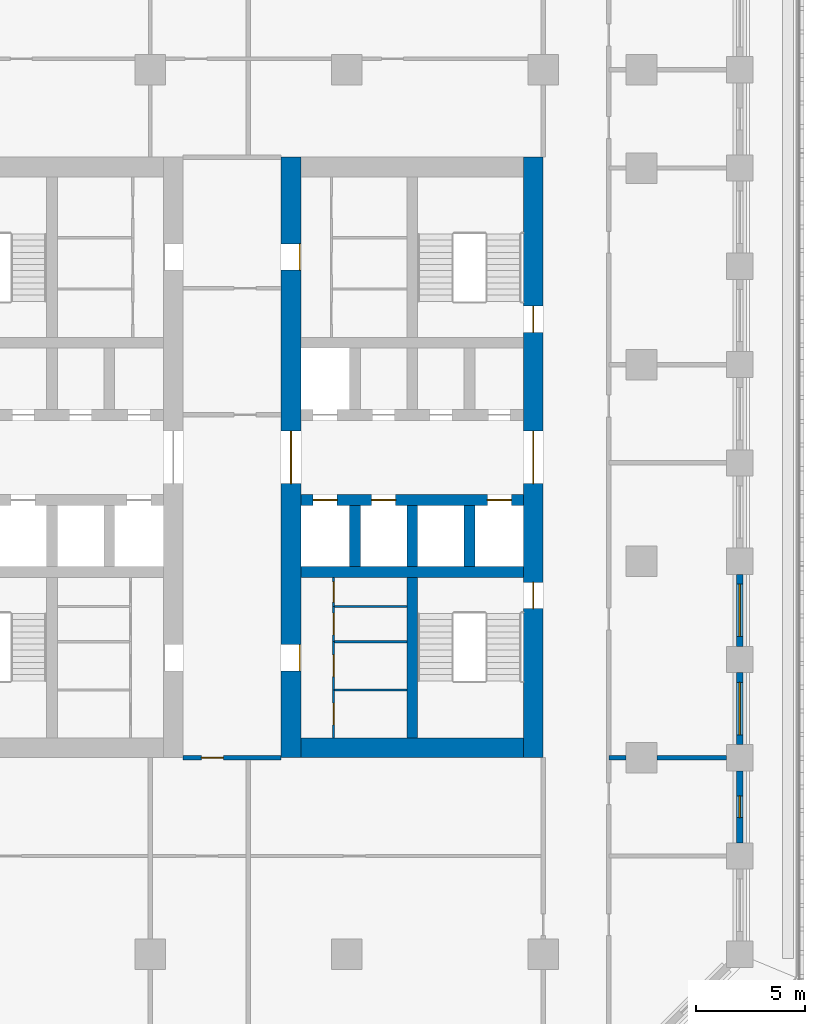
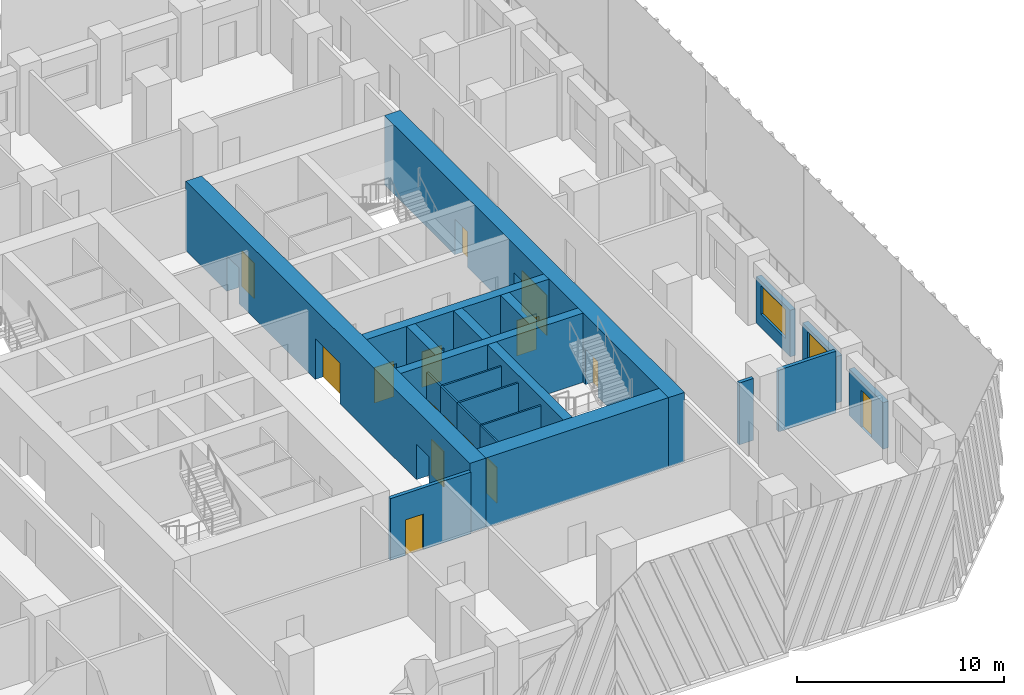
# One storey, part 5 of 19: 22 walls, 15 doors, 2 windows, 17 openings.
"""IFC4 building model written with IfcOpenShell, lengths in metres."""

from ifc_helpers import new_model, si_unit, direction, frame, frame_2d, origin, place, context, subcontext, project, spatial, rectangle, extrude, material, layer, layer_set, type_object, element, fill, save


model = new_model("IFC4")

# Units and contexts
model_context = context("Model", 3, precision=1e-05, world=origin(), true_north=direction((0.0, 1.0)))
body_context = subcontext(model_context, "Body", "Model", "MODEL_VIEW")
ifc_project = project(units=[si_unit("LENGTHUNIT", "METRE"), si_unit("AREAUNIT", "SQUARE_METRE"), si_unit("VOLUMEUNIT", "CUBIC_METRE"), si_unit("PLANEANGLEUNIT", "RADIAN"), si_unit("MASSUNIT", "GRAM", prefix="KILO")], contexts=[model_context])

# Site, building, storey
site_placement = place(None, origin())
site = spatial("IfcSite", under=ifc_project, at=site_placement, CompositionType="ELEMENT")
building_placement = place(site_placement, origin())
building = spatial("IfcBuilding", under=site, at=building_placement, Name="Corbel Stack Research Tower", CompositionType="ELEMENT")
storey_placement = place(building_placement, frame((0.0, 0.0, 124.89990234375)))
storey = spatial("IfcBuildingStorey", under=building, at=storey_placement, Name="L28", CompositionType="ELEMENT", Elevation=124.89990234375)

# Wall
ifc_material_1 = material(Name="Concrete C70/85", Category="concrete")
ifc_layer_1 = layer(ifc_material_1, 0.5)
ifc_layer_set_1 = layer_set([ifc_layer_1], Name="Concrete C70/85")
wall_type_1 = type_object("IfcWallType", Name="CW-500-70", PredefinedType="SHEAR", material=ifc_layer_set_1)
wall_1_placement = place(storey_placement, frame((6.89990234375, -0.5, 0.0), z_axis=(0.0, 0.0, 1.0), x_axis=(1.0, 0.0, 0.0)))
element("IfcWall", 1, at=wall_1_placement, inside=storey, type_object=wall_type_1, Name="East core wall, south row back L28", PredefinedType="SHEAR", context=body_context, shape_type="SweptSolid", body=[
    extrude(rectangle(XDim=10.2001953125, YDim=0.5, at=frame_2d((5.10009765625, 0.0))), origin(), (0.0, 0.0, 1.0), 4.10009765625),
])

# Wall, openings, doors
wall_2_placement = place(storey_placement, frame((6.89990234375, 2.800048828125, 0.0), z_axis=(0.0, 0.0, 1.0), x_axis=(1.0, 0.0, 0.0)))
wall_2 = element("IfcWall", 2, at=wall_2_placement, inside=storey, type_object=wall_type_1, Name="East core wall, lobby south L28", PredefinedType="SHEAR", context=body_context, shape_type="SweptSolid", body=[
    extrude(rectangle(XDim=10.2001953125, YDim=0.5, at=frame_2d((5.10009765625, 0.0))), origin(), (0.0, 0.0, 1.0), 4.10009765625),
])
opening_1_placement = place(wall_2_placement, frame((0.5625, 0.0, 0.0)))
opening_1 = element("IfcOpeningElement", 3, at=opening_1_placement, cuts=wall_2, Name="Opening LD-FS2", PredefinedType="OPENING", context=body_context, shape_type="SweptSolid", body=[
    extrude(rectangle(XDim=1.10009765625, YDim=2.10009765625, at=frame_2d((0.550048828125, 1.050048828125))), frame((0.0, 0.260009765625, 0.0), z_axis=(0.0, -1.0, 0.0), x_axis=(1.0, 0.0, 0.0)), (0.0, 0.0, 1.0), 0.52001953125),
])
opening_2_placement = place(wall_2_placement, frame((3.237548828125, 0.0, 0.0)))
opening_2 = element("IfcOpeningElement", 4, at=opening_2_placement, cuts=wall_2, Name="Opening LD-GL2", PredefinedType="OPENING", context=body_context, shape_type="SweptSolid", body=[
    extrude(rectangle(XDim=1.10009765625, YDim=2.10009765625, at=frame_2d((0.550048828125, 1.050048828125))), frame((0.0, 0.260009765625, 0.0), z_axis=(0.0, -1.0, 0.0), x_axis=(1.0, 0.0, 0.0)), (0.0, 0.0, 1.0), 0.52001953125),
])
opening_3_placement = place(wall_2_placement, frame((8.53759765625, 0.0, 0.0)))
opening_3 = element("IfcOpeningElement", 5, at=opening_3_placement, cuts=wall_2, Name="Opening LD-LR3", PredefinedType="OPENING", context=body_context, shape_type="SweptSolid", body=[
    extrude(rectangle(XDim=1.10009765625, YDim=2.10009765625, at=frame_2d((0.550048828125, 1.050048828125))), frame((0.0, 0.260009765625, 0.0), z_axis=(0.0, -1.0, 0.0), x_axis=(1.0, 0.0, 0.0)), (0.0, 0.0, 1.0), 0.52001953125),
])
ifc_material_2 = material(Name="Stainless steel landing door", Category="steel")
door_type_1 = type_object("IfcDoorType", Name="Lift landing door 1100 x 2100", OperationType="DOUBLE_DOOR_SLIDING", PredefinedType="DOOR", material=ifc_material_2)
door_1_placement = place(opening_1_placement, origin())
door_1 = element("IfcDoor", 6, at=door_1_placement, inside=storey, type_object=door_type_1, Name="Landing door FS2", OperationType="DOUBLE_DOOR_SLIDING", OverallHeight=2.10009765625, OverallWidth=1.10009765625, PredefinedType="DOOR", context=body_context, shape_type="SweptSolid", body=[
    extrude(rectangle(XDim=1.10009765625, YDim=2.10009765625, at=frame_2d((0.550048828125, 1.050048828125))), frame((0.0, 0.02490234375, 0.0), z_axis=(0.0, -1.0, 0.0), x_axis=(1.0, 0.0, 0.0)), (0.0, 0.0, 1.0), 0.050048828125),
])
fill(opening_1, door_1)
door_2_placement = place(opening_2_placement, origin())
door_2 = element("IfcDoor", 7, at=door_2_placement, inside=storey, type_object=door_type_1, Name="Landing door GL2", OperationType="DOUBLE_DOOR_SLIDING", OverallHeight=2.10009765625, OverallWidth=1.10009765625, PredefinedType="DOOR", context=body_context, shape_type="SweptSolid", body=[
    extrude(rectangle(XDim=1.10009765625, YDim=2.10009765625, at=frame_2d((0.550048828125, 1.050048828125))), frame((0.0, 0.02490234375, 0.0), z_axis=(0.0, -1.0, 0.0), x_axis=(1.0, 0.0, 0.0)), (0.0, 0.0, 1.0), 0.050048828125),
])
fill(opening_2, door_2)
door_3_placement = place(opening_3_placement, origin())
door_3 = element("IfcDoor", 8, at=door_3_placement, inside=storey, type_object=door_type_1, Name="Landing door LR3", OperationType="DOUBLE_DOOR_SLIDING", OverallHeight=2.10009765625, OverallWidth=1.10009765625, PredefinedType="DOOR", context=body_context, shape_type="SweptSolid", body=[
    extrude(rectangle(XDim=1.10009765625, YDim=2.10009765625, at=frame_2d((0.550048828125, 1.050048828125))), frame((0.0, 0.02490234375, 0.0), z_axis=(0.0, -1.0, 0.0), x_axis=(1.0, 0.0, 0.0)), (0.0, 0.0, 1.0), 0.050048828125),
])
fill(opening_3, door_3)

# Walls
for number, where, z_axis, x_axis, name in (
    (9, (9.375, -0.25, 0.0), (0.0, 0.0, 1.0), (0.0, 1.0, 0.0), "East core wall, south shaft 1 L28"),
    (10, (12.0, -0.25, 0.0), (0.0, 0.0, 1.0), (0.0, 1.0, 0.0), "East core wall, south shaft 2 L28"),
    (11, (14.625, -0.25, 0.0), (0.0, 0.0, 1.0), (0.0, 1.0, 0.0), "East core wall, south shaft 3 L28"),
):
    element("IfcWall", number, at=place(storey_placement, frame(where, z_axis=z_axis, x_axis=x_axis)), inside=storey, type_object=wall_type_1, Name=name, PredefinedType="SHEAR", context=body_context, shape_type="SweptSolid", body=[
        extrude(rectangle(XDim=2.800048828125, YDim=0.5, at=frame_2d((1.39990234375, 0.0))), origin(), (0.0, 0.0, 1.0), 4.10009765625),
    ])
wall_3_placement = place(storey_placement, frame((12.0, -8.10009765625, 0.0), z_axis=(0.0, 0.0, 1.0), x_axis=(0.0, 1.0, 0.0)))
element("IfcWall", 12, at=wall_3_placement, inside=storey, type_object=wall_type_1, Name="East core wall, south stair and WC L28", PredefinedType="SHEAR", context=body_context, shape_type="SweptSolid", body=[
    extrude(rectangle(XDim=7.35009765625, YDim=0.5, at=frame_2d((3.675048828125, 0.0))), origin(), (0.0, 0.0, 1.0), 4.10009765625),
])

# Wall, openings, doors
ifc_material_3 = material(Name="Concrete C70/85", Category="concrete")
ifc_layer_2 = layer(ifc_material_3, 0.89990234375)
ifc_layer_set_2 = layer_set([ifc_layer_2], Name="Concrete C70/85")
wall_type_2 = type_object("IfcWallType", Name="CW-900-70", PredefinedType="SHEAR", material=ifc_layer_set_2)
wall_4_placement = place(storey_placement, frame((6.449951171875, -9.0, 0.0), z_axis=(0.0, 0.0, 1.0), x_axis=(0.0, 1.0, 0.0)))
wall_4 = element("IfcWall", 13, at=wall_4_placement, inside=storey, type_object=wall_type_2, Name="East core wall, west face L28", PredefinedType="SHEAR", context=body_context, shape_type="SweptSolid", body=[
    extrude(rectangle(XDim=27.5, YDim=0.89990234375, at=frame_2d((13.75, 0.0))), origin(), (0.0, 0.0, 1.0), 4.10009765625),
])
opening_4_placement = place(wall_4_placement, frame((12.550048828125, 0.0, 0.0)))
opening_4 = element("IfcOpeningElement", 14, at=opening_4_placement, cuts=wall_4, Name="Opening CD-E-W", PredefinedType="OPENING", context=body_context, shape_type="SweptSolid", body=[
    extrude(rectangle(XDim=2.39990234375, YDim=2.39990234375, at=frame_2d((1.199951171875, 1.199951171875))), frame((0.0, 0.4599609375, 0.0), z_axis=(0.0, -1.0, 0.0), x_axis=(1.0, 0.0, 0.0)), (0.0, 0.0, 1.0), 0.919921875),
])
opening_5_placement = place(wall_4_placement, frame((3.97509765625, 0.0, 0.0)))
opening_5 = element("IfcOpeningElement", 15, at=opening_5_placement, cuts=wall_4, Name="Opening CR-E42-W1-1200", PredefinedType="OPENING", context=body_context, shape_type="SweptSolid", body=[
    extrude(rectangle(XDim=1.199951171875, YDim=2.10009765625, at=frame_2d((0.60009765625, 1.050048828125))), frame((0.0, 0.4599609375, 0.0), z_axis=(0.0, -1.0, 0.0), x_axis=(1.0, 0.0, 0.0)), (0.0, 0.0, 1.0), 0.919921875),
])
opening_6_placement = place(wall_4_placement, frame((22.324951171875, 0.0, 0.0)))
opening_6 = element("IfcOpeningElement", 16, at=opening_6_placement, cuts=wall_4, Name="Opening CR-E42-R1-1200", PredefinedType="OPENING", context=body_context, shape_type="SweptSolid", body=[
    extrude(rectangle(XDim=1.199951171875, YDim=2.10009765625, at=frame_2d((0.60009765625, 1.050048828125))), frame((0.0, 0.4599609375, 0.0), z_axis=(0.0, -1.0, 0.0), x_axis=(1.0, 0.0, 0.0)), (0.0, 0.0, 1.0), 0.919921875),
])
ifc_material_4 = material(Name="Painted steel fire door", Category="steel")
door_type_2 = type_object("IfcDoorType", Name="Lobby door pair 2400 x 2400 FD30S", OperationType="DOUBLE_DOOR_DOUBLE_SWING", PredefinedType="DOOR", material=ifc_material_4)
door_4_placement = place(opening_4_placement, origin())
door_4 = element("IfcDoor", 17, at=door_4_placement, inside=storey, type_object=door_type_2, Name="Lift lobby door E core W", OperationType="DOUBLE_DOOR_DOUBLE_SWING", OverallHeight=2.39990234375, OverallWidth=2.39990234375, PredefinedType="DOOR", context=body_context, shape_type="SweptSolid", body=[
    extrude(rectangle(XDim=2.39990234375, YDim=2.39990234375, at=frame_2d((1.199951171875, 1.199951171875))), frame((0.0, 0.02490234375, 0.0), z_axis=(0.0, -1.0, 0.0), x_axis=(1.0, 0.0, 0.0)), (0.0, 0.0, 1.0), 0.050048828125),
])
fill(opening_4, door_4)
ifc_material_5 = material(Name="Painted steel door", Category="steel")
door_type_3 = type_object("IfcDoorType", Name="Service door 1200 x 2100 FD30 right hand", OperationType="SINGLE_SWING_RIGHT", PredefinedType="DOOR", material=ifc_material_5)
door_5_placement = place(opening_6_placement, origin())
door_5 = element("IfcDoor", 18, at=door_5_placement, inside=storey, type_object=door_type_3, Name="Service passage door E core", OperationType="SINGLE_SWING_RIGHT", OverallHeight=2.10009765625, OverallWidth=1.199951171875, PredefinedType="DOOR", context=body_context, shape_type="SweptSolid", body=[
    extrude(rectangle(XDim=1.199951171875, YDim=2.10009765625, at=frame_2d((0.60009765625, 1.050048828125))), frame((0.0, -0.375, 0.0), z_axis=(0.0, -1.0, 0.0), x_axis=(1.0, 0.0, 0.0)), (0.0, 0.0, 1.0), 0.050048828125),
])
fill(opening_6, door_5)
ifc_material_6 = material(Name="Painted timber door", Category="wood")
door_type_4 = type_object("IfcDoorType", Name="WC door 1200 x 2100 right hand", OperationType="SINGLE_SWING_RIGHT", PredefinedType="DOOR", material=ifc_material_6)
door_6_placement = place(opening_5_placement, origin())
door_6 = element("IfcDoor", 19, at=door_6_placement, inside=storey, type_object=door_type_4, Name="WC lobby door E core", OperationType="SINGLE_SWING_RIGHT", OverallHeight=2.10009765625, OverallWidth=1.199951171875, PredefinedType="DOOR", context=body_context, shape_type="SweptSolid", body=[
    extrude(rectangle(XDim=1.199951171875, YDim=2.10009765625, at=frame_2d((0.60009765625, 1.050048828125))), frame((0.0, -0.375, 0.0), z_axis=(0.0, -1.0, 0.0), x_axis=(1.0, 0.0, 0.0)), (0.0, 0.0, 1.0), 0.050048828125),
])
fill(opening_5, door_6)

wall_5_placement = place(storey_placement, frame((17.550048828125, -9.0, 0.0), z_axis=(0.0, 0.0, 1.0), x_axis=(0.0, 1.0, 0.0)))
wall_5 = element("IfcWall", 20, at=wall_5_placement, inside=storey, type_object=wall_type_2, Name="East core wall, east face L28", PredefinedType="SHEAR", context=body_context, shape_type="SweptSolid", body=[
    extrude(rectangle(XDim=27.5, YDim=0.89990234375, at=frame_2d((13.75, 0.0))), origin(), (0.0, 0.0, 1.0), 4.10009765625),
])
opening_7_placement = place(wall_5_placement, frame((12.550048828125, 0.0, 0.0)))
opening_7 = element("IfcOpeningElement", 21, at=opening_7_placement, cuts=wall_5, Name="Opening CD-E-E", PredefinedType="OPENING", context=body_context, shape_type="SweptSolid", body=[
    extrude(rectangle(XDim=2.39990234375, YDim=2.39990234375, at=frame_2d((1.199951171875, 1.199951171875))), frame((0.0, 0.4599609375, 0.0), z_axis=(0.0, -1.0, 0.0), x_axis=(1.0, 0.0, 0.0)), (0.0, 0.0, 1.0), 0.919921875),
])
opening_8_placement = place(wall_5_placement, frame((6.824951171875, 0.0, 0.0)))
opening_8 = element("IfcOpeningElement", 22, at=opening_8_placement, cuts=wall_5, Name="Opening SD-ST-E1", PredefinedType="OPENING", context=body_context, shape_type="SweptSolid", body=[
    extrude(rectangle(XDim=1.199951171875, YDim=2.10009765625, at=frame_2d((0.60009765625, 1.050048828125))), frame((0.0, 0.4599609375, 0.0), z_axis=(0.0, -1.0, 0.0), x_axis=(1.0, 0.0, 0.0)), (0.0, 0.0, 1.0), 0.919921875),
])
opening_9_placement = place(wall_5_placement, frame((19.47509765625, 0.0, 0.0)))
opening_9 = element("IfcOpeningElement", 23, at=opening_9_placement, cuts=wall_5, Name="Opening SD-ST-E2", PredefinedType="OPENING", context=body_context, shape_type="SweptSolid", body=[
    extrude(rectangle(XDim=1.199951171875, YDim=2.10009765625, at=frame_2d((0.60009765625, 1.050048828125))), frame((0.0, 0.4599609375, 0.0), z_axis=(0.0, -1.0, 0.0), x_axis=(1.0, 0.0, 0.0)), (0.0, 0.0, 1.0), 0.919921875),
])
door_7_placement = place(opening_7_placement, origin())
door_7 = element("IfcDoor", 24, at=door_7_placement, inside=storey, type_object=door_type_2, Name="Lift lobby door E core E", OperationType="DOUBLE_DOOR_DOUBLE_SWING", OverallHeight=2.39990234375, OverallWidth=2.39990234375, PredefinedType="DOOR", context=body_context, shape_type="SweptSolid", body=[
    extrude(rectangle(XDim=2.39990234375, YDim=2.39990234375, at=frame_2d((1.199951171875, 1.199951171875))), frame((0.0, 0.02490234375, 0.0), z_axis=(0.0, -1.0, 0.0), x_axis=(1.0, 0.0, 0.0)), (0.0, 0.0, 1.0), 0.050048828125),
])
fill(opening_7, door_7)
ifc_material_7 = material(Name="Painted steel fire door", Category="steel")
door_type_5 = type_object("IfcDoorType", Name="Stair door 1200 x 2100 FD90 right hand", OperationType="SINGLE_SWING_RIGHT", PredefinedType="DOOR", material=ifc_material_7)
door_8_placement = place(opening_8_placement, frame((1.199951171875, 0.0, 0.0), z_axis=(0.0, 0.0, 1.0), x_axis=(-1.0, 0.0, 0.0)))
door_8 = element("IfcDoor", 25, at=door_8_placement, inside=storey, type_object=door_type_5, Name="Stair door ST-E1", OperationType="SINGLE_SWING_LEFT", OverallHeight=2.10009765625, OverallWidth=1.199951171875, PredefinedType="DOOR", context=body_context, shape_type="SweptSolid", body=[
    extrude(rectangle(XDim=1.199951171875, YDim=2.10009765625, at=frame_2d((0.60009765625, 1.050048828125))), frame((0.0, 0.02490234375, 0.0), z_axis=(0.0, -1.0, 0.0), x_axis=(1.0, 0.0, 0.0)), (0.0, 0.0, 1.0), 0.050048828125),
])
fill(opening_8, door_8)
door_9_placement = place(opening_9_placement, frame((1.199951171875, 0.0, 0.0), z_axis=(0.0, 0.0, 1.0), x_axis=(-1.0, 0.0, 0.0)))
door_9 = element("IfcDoor", 26, at=door_9_placement, inside=storey, type_object=door_type_5, Name="Stair door ST-E2", OperationType="SINGLE_SWING_LEFT", OverallHeight=2.10009765625, OverallWidth=1.199951171875, PredefinedType="DOOR", context=body_context, shape_type="SweptSolid", body=[
    extrude(rectangle(XDim=1.199951171875, YDim=2.10009765625, at=frame_2d((0.60009765625, 1.050048828125))), frame((0.0, 0.02490234375, 0.0), z_axis=(0.0, -1.0, 0.0), x_axis=(1.0, 0.0, 0.0)), (0.0, 0.0, 1.0), 0.050048828125),
])
fill(opening_9, door_9)

# Wall
wall_6_placement = place(storey_placement, frame((6.89990234375, -8.550048828125, 0.0), z_axis=(0.0, 0.0, 1.0), x_axis=(1.0, 0.0, 0.0)))
element("IfcWall", 27, at=wall_6_placement, inside=storey, type_object=wall_type_2, Name="East core wall, south end L28", PredefinedType="SHEAR", context=body_context, shape_type="SweptSolid", body=[
    extrude(rectangle(XDim=10.2001953125, YDim=0.89990234375, at=frame_2d((5.10009765625, 0.0))), origin(), (0.0, 0.0, 1.0), 4.10009765625),
])

# Wall, opening, door
ifc_material_8 = material(Name="Gypsum board")
ifc_layer_3 = layer(ifc_material_8, 0.10009765625)
ifc_layer_set_3 = layer_set([ifc_layer_3], Name="Gypsum board")
wall_type_3 = type_object("IfcWallType", Name="Core partition 100", PredefinedType="PARTITIONING", material=ifc_layer_set_3)
wall_7_placement = place(storey_placement, frame((8.39990234375, -8.10009765625, 0.0), z_axis=(0.0, 0.0, 1.0), x_axis=(0.0, 1.0, 0.0)))
wall_7 = element("IfcWall", 28, at=wall_7_placement, inside=storey, type_object=wall_type_3, Name="Core partition E", PredefinedType="PARTITIONING", context=body_context, shape_type="SweptSolid", body=[
    extrude(rectangle(XDim=2.205078125, YDim=0.10009765625, at=frame_2d((1.1025390625, 0.0))), origin(), (0.0, 0.0, 1.0), 3.650146484375),
])
opening_10_placement = place(wall_7_placement, frame((0.6025390625, 0.0, 0.0)))
opening_10 = element("IfcOpeningElement", 29, at=opening_10_placement, cuts=wall_7, Name="Opening CR-E42-W2-1000", PredefinedType="OPENING", context=body_context, shape_type="SweptSolid", body=[
    extrude(rectangle(XDim=1.0, YDim=2.10009765625, at=frame_2d((0.5, 1.050048828125))), frame((0.0, 0.06005859375, 0.0), z_axis=(0.0, -1.0, 0.0), x_axis=(1.0, 0.0, 0.0)), (0.0, 0.0, 1.0), 0.1201171875),
])
ifc_material_9 = material(Name="Painted timber door", Category="wood")
door_type_6 = type_object("IfcDoorType", Name="WC door 1000 x 2100 left hand", OperationType="SINGLE_SWING_LEFT", PredefinedType="DOOR", material=ifc_material_9)
door_10_placement = place(opening_10_placement, origin())
door_10 = element("IfcDoor", 30, at=door_10_placement, inside=storey, type_object=door_type_6, Name="Men's WC door E core", OperationType="SINGLE_SWING_LEFT", OverallHeight=2.10009765625, OverallWidth=1.0, PredefinedType="DOOR", context=body_context, shape_type="SweptSolid", body=[
    extrude(rectangle(XDim=1.0, YDim=2.10009765625, at=frame_2d((0.5, 1.050048828125))), frame((0.0, 0.02490234375, 0.0), z_axis=(0.0, -1.0, 0.0), x_axis=(1.0, 0.0, 0.0)), (0.0, 0.0, 1.0), 0.050048828125),
])
fill(opening_10, door_10)

wall_8_placement = place(storey_placement, frame((8.39990234375, -5.89501953125, 0.0), z_axis=(0.0, 0.0, 1.0), x_axis=(0.0, 1.0, 0.0)))
wall_8 = element("IfcWall", 31, at=wall_8_placement, inside=storey, type_object=wall_type_3, Name="Core partition E", PredefinedType="PARTITIONING", context=body_context, shape_type="SweptSolid", body=[
    extrude(rectangle(XDim=2.205078125, YDim=0.10009765625, at=frame_2d((1.1025390625, 0.0))), origin(), (0.0, 0.0, 1.0), 3.650146484375),
])
opening_11_placement = place(wall_8_placement, frame((0.6025390625, 0.0, 0.0)))
opening_11 = element("IfcOpeningElement", 32, at=opening_11_placement, cuts=wall_8, Name="Opening CR-E42-W3-1000", PredefinedType="OPENING", context=body_context, shape_type="SweptSolid", body=[
    extrude(rectangle(XDim=1.0, YDim=2.10009765625, at=frame_2d((0.5, 1.050048828125))), frame((0.0, 0.06005859375, 0.0), z_axis=(0.0, -1.0, 0.0), x_axis=(1.0, 0.0, 0.0)), (0.0, 0.0, 1.0), 0.1201171875),
])
ifc_material_10 = material(Name="Painted timber door", Category="wood")
door_type_7 = type_object("IfcDoorType", Name="WC door 1000 x 2100 right hand", OperationType="SINGLE_SWING_RIGHT", PredefinedType="DOOR", material=ifc_material_10)
door_11_placement = place(opening_11_placement, origin())
door_11 = element("IfcDoor", 33, at=door_11_placement, inside=storey, type_object=door_type_7, Name="Women's WC door E core", OperationType="SINGLE_SWING_RIGHT", OverallHeight=2.10009765625, OverallWidth=1.0, PredefinedType="DOOR", context=body_context, shape_type="SweptSolid", body=[
    extrude(rectangle(XDim=1.0, YDim=2.10009765625, at=frame_2d((0.5, 1.050048828125))), frame((0.0, 0.02490234375, 0.0), z_axis=(0.0, -1.0, 0.0), x_axis=(1.0, 0.0, 0.0)), (0.0, 0.0, 1.0), 0.050048828125),
])
fill(opening_11, door_11)

wall_9_placement = place(storey_placement, frame((8.39990234375, -3.68994140625, 0.0), z_axis=(0.0, 0.0, 1.0), x_axis=(0.0, 1.0, 0.0)))
wall_9 = element("IfcWall", 34, at=wall_9_placement, inside=storey, type_object=wall_type_3, Name="Core partition E", PredefinedType="PARTITIONING", context=body_context, shape_type="SweptSolid", body=[
    extrude(rectangle(XDim=1.616943359375, YDim=0.10009765625, at=frame_2d((0.80859375, 0.0))), origin(), (0.0, 0.0, 1.0), 3.650146484375),
])
opening_12_placement = place(wall_9_placement, frame((0.30859375, 0.0, 0.0)))
opening_12 = element("IfcOpeningElement", 35, at=opening_12_placement, cuts=wall_9, Name="Opening CR-E42-W4-1000", PredefinedType="OPENING", context=body_context, shape_type="SweptSolid", body=[
    extrude(rectangle(XDim=1.0, YDim=2.10009765625, at=frame_2d((0.5, 1.050048828125))), frame((0.0, 0.06005859375, 0.0), z_axis=(0.0, -1.0, 0.0), x_axis=(1.0, 0.0, 0.0)), (0.0, 0.0, 1.0), 0.1201171875),
])
door_12_placement = place(opening_12_placement, origin())
door_12 = element("IfcDoor", 36, at=door_12_placement, inside=storey, type_object=door_type_6, Name="Accessible WC door E core", OperationType="SINGLE_SWING_LEFT", OverallHeight=2.10009765625, OverallWidth=1.0, PredefinedType="DOOR", context=body_context, shape_type="SweptSolid", body=[
    extrude(rectangle(XDim=1.0, YDim=2.10009765625, at=frame_2d((0.5, 1.050048828125))), frame((0.0, 0.02490234375, 0.0), z_axis=(0.0, -1.0, 0.0), x_axis=(1.0, 0.0, 0.0)), (0.0, 0.0, 1.0), 0.050048828125),
])
fill(opening_12, door_12)

wall_10_placement = place(storey_placement, frame((8.39990234375, -2.072998046875, 0.0), z_axis=(0.0, 0.0, 1.0), x_axis=(0.0, 1.0, 0.0)))
wall_10 = element("IfcWall", 37, at=wall_10_placement, inside=storey, type_object=wall_type_3, Name="Core partition E", PredefinedType="PARTITIONING", context=body_context, shape_type="SweptSolid", body=[
    extrude(rectangle(XDim=1.322998046875, YDim=0.10009765625, at=frame_2d((0.66162109375, 0.0))), origin(), (0.0, 0.0, 1.0), 3.650146484375),
])
opening_13_placement = place(wall_10_placement, frame((0.199951171875, 0.0, 0.0)))
opening_13 = element("IfcOpeningElement", 38, at=opening_13_placement, cuts=wall_10, Name="Opening CR-E42-W5-923", PredefinedType="OPENING", context=body_context, shape_type="SweptSolid", body=[
    extrude(rectangle(XDim=0.923095703125, YDim=2.10009765625, at=frame_2d((0.46142578125, 1.050048828125))), frame((0.0, 0.06005859375, 0.0), z_axis=(0.0, -1.0, 0.0), x_axis=(1.0, 0.0, 0.0)), (0.0, 0.0, 1.0), 0.1201171875),
])
ifc_material_11 = material(Name="Painted steel door", Category="steel")
door_type_8 = type_object("IfcDoorType", Name="Service door 923 x 2100 FD30 right hand", OperationType="SINGLE_SWING_RIGHT", PredefinedType="DOOR", material=ifc_material_11)
door_13_placement = place(opening_13_placement, origin())
door_13 = element("IfcDoor", 39, at=door_13_placement, inside=storey, type_object=door_type_8, Name="Cleaner's store door E core", OperationType="SINGLE_SWING_RIGHT", OverallHeight=2.10009765625, OverallWidth=0.923095703125, PredefinedType="DOOR", context=body_context, shape_type="SweptSolid", body=[
    extrude(rectangle(XDim=0.923095703125, YDim=2.10009765625, at=frame_2d((0.46142578125, 1.050048828125))), frame((0.0, 0.02490234375, 0.0), z_axis=(0.0, -1.0, 0.0), x_axis=(1.0, 0.0, 0.0)), (0.0, 0.0, 1.0), 0.050048828125),
])
fill(opening_13, door_13)

# Walls
for number, where, z_axis, x_axis, name in (
    (40, (8.39990234375, -5.89501953125, 0.0), (0.0, 0.0, 1.0), (1.0, 0.0, 0.0), "Core partition E"),
    (41, (8.39990234375, -3.68994140625, 0.0), (0.0, 0.0, 1.0), (1.0, 0.0, 0.0), "Core partition E"),
    (42, (8.39990234375, -2.072998046875, 0.0), (0.0, 0.0, 1.0), (1.0, 0.0, 0.0), "Core partition E"),
):
    element("IfcWall", number, at=place(storey_placement, frame(where, z_axis=z_axis, x_axis=x_axis)), inside=storey, type_object=wall_type_3, Name=name, PredefinedType="PARTITIONING", context=body_context, shape_type="SweptSolid", body=[
        extrude(rectangle(XDim=3.35009765625, YDim=0.10009765625, at=frame_2d((1.675048828125, 0.0))), origin(), (0.0, 0.0, 1.0), 3.650146484375),
    ])

# Wall, opening, door
ifc_material_12 = material(Name="Fire-rated gypsum board partition on steel studs", Category="steel")
ifc_layer_4 = layer(ifc_material_12, 0.199951171875)
ifc_layer_set_4 = layer_set([ifc_layer_4], Name="Fire-rated gypsum board partition on steel studs")
wall_type_4 = type_object("IfcWallType", Name="Fire-rated partition 200 EI 60", PredefinedType="PARTITIONING", material=ifc_layer_set_4)
wall_11_placement = place(storey_placement, frame((6.0, -9.0, 0.0), z_axis=(0.0, 0.0, 1.0), x_axis=(-1.0, 0.0, 0.0)))
wall_11 = element("IfcWall", 43, at=wall_11_placement, inside=storey, type_object=wall_type_4, Name="Partition L28-030", PredefinedType="PARTITIONING", context=body_context, shape_type="SweptSolid", body=[
    extrude(rectangle(XDim=4.5, YDim=0.199951171875, at=frame_2d((2.25, 0.0))), origin(), (0.0, 0.0, 1.0), 3.650146484375),
])
opening_14_placement = place(wall_11_placement, frame((2.64990234375, 0.0, 0.0)))
opening_14 = element("IfcOpeningElement", 44, at=opening_14_placement, cuts=wall_11, Name="Opening B4V1-022", PredefinedType="OPENING", context=body_context, shape_type="SweptSolid", body=[
    extrude(rectangle(XDim=1.0, YDim=2.10009765625, at=frame_2d((0.5, 1.050048828125))), frame((0.0, 0.10986328125, 0.0), z_axis=(0.0, -1.0, 0.0), x_axis=(1.0, 0.0, 0.0)), (0.0, 0.0, 1.0), 0.219970703125),
])
ifc_material_13 = material(Name="Painted steel fire door", Category="steel")
door_type_9 = type_object("IfcDoorType", Name="Fire door FD30S 1000 x 2100", OperationType="NOTDEFINED", PredefinedType="DOOR", material=ifc_material_13)
door_14_placement = place(opening_14_placement, origin())
door_14 = element("IfcDoor", 45, at=door_14_placement, inside=storey, type_object=door_type_9, Name="Door B4V1-022", OperationType="SINGLE_SWING_RIGHT", OverallHeight=2.10009765625, OverallWidth=1.0, PredefinedType="DOOR", context=body_context, shape_type="SweptSolid", body=[
    extrude(rectangle(XDim=1.0, YDim=2.10009765625, at=frame_2d((0.5, 1.050048828125))), frame((0.0, 0.02490234375, 0.0), z_axis=(0.0, -1.0, 0.0), x_axis=(1.0, 0.0, 0.0)), (0.0, 0.0, 1.0), 0.050048828125),
])
fill(opening_14, door_14)

# Walls
wall_12_placement = place(storey_placement, frame((21.0, -9.0, 0.0), z_axis=(0.0, 0.0, 1.0), x_axis=(1.0, 0.0, 0.0)))
element("IfcWall", 46, at=wall_12_placement, inside=storey, type_object=wall_type_4, Name="Partition L28-031", PredefinedType="PARTITIONING", context=body_context, shape_type="SweptSolid", body=[
    extrude(rectangle(XDim=0.800048828125, YDim=0.199951171875, at=frame_2d((0.39990234375, 0.0))), origin(), (0.0, 0.0, 1.0), 3.650146484375),
])
wall_13_placement = place(storey_placement, frame((23.199951171875, -9.0, 0.0), z_axis=(0.0, 0.0, 1.0), x_axis=(1.0, 0.0, 0.0)))
element("IfcWall", 47, at=wall_13_placement, inside=storey, type_object=wall_type_4, Name="Partition L28-032", PredefinedType="PARTITIONING", context=body_context, shape_type="SweptSolid", body=[
    extrude(rectangle(XDim=3.199951171875, YDim=0.199951171875, at=frame_2d((1.60009765625, 0.0))), origin(), (0.0, 0.0, 1.0), 3.650146484375),
])

# Wall, opening, door
ifc_material_14 = material(Name="Concrete C45/55", Category="concrete")
ifc_layer_5 = layer(ifc_material_14, 0.300048828125)
ifc_layer_set_5 = layer_set([ifc_layer_5], Name="Concrete C45/55")
wall_type_5 = type_object("IfcWallType", Name="Terracotta-faced concrete wall 300", PredefinedType="SOLIDWALL", material=ifc_layer_set_5)
wall_14_placement = place(storey_placement, frame((27.0, -9.60009765625, 0.0), z_axis=(0.0, 0.0, 1.0), x_axis=(0.0, -1.0, 0.0)))
wall_14 = element("IfcWall", 48, at=wall_14_placement, inside=storey, type_object=wall_type_5, Name="Facade wall L28 E02", PredefinedType="SOLIDWALL", context=body_context, shape_type="SweptSolid", body=[
    extrude(rectangle(XDim=3.2998046875, YDim=0.300048828125, at=frame_2d((1.64990234375, 0.0))), origin(), (0.0, 0.0, 1.0), 2.75),
])
opening_15_placement = place(wall_14_placement, frame((1.14990234375, 0.0, 0.0)))
opening_15 = element("IfcOpeningElement", 49, at=opening_15_placement, cuts=wall_14, Name="Opening L28-B04", PredefinedType="OPENING", context=body_context, shape_type="SweptSolid", body=[
    extrude(rectangle(XDim=1.0, YDim=2.199951171875, at=frame_2d((0.5, 1.10009765625))), frame((0.0, 0.159912109375, 0.0), z_axis=(0.0, -1.0, 0.0), x_axis=(1.0, 0.0, 0.0)), (0.0, 0.0, 1.0), 0.320068359375),
])
ifc_material_15 = material(Name="Aluminium frame, clear double glazing", Category="aluminium")
door_type_10 = type_object("IfcDoorType", Name="Balcony door BD1 1000 x 2200", OperationType="NOTDEFINED", PredefinedType="DOOR", material=ifc_material_15)
door_15_placement = place(opening_15_placement, origin())
door_15 = element("IfcDoor", 50, at=door_15_placement, inside=storey, type_object=door_type_10, Name="Balcony door L28-B04", OperationType="SINGLE_SWING_RIGHT", OverallHeight=2.199951171875, OverallWidth=1.0, PredefinedType="DOOR", context=body_context, shape_type="SweptSolid", body=[
    extrude(rectangle(XDim=1.0, YDim=2.199951171875, at=frame_2d((0.5, 1.10009765625))), frame((0.0, 0.02490234375, 0.0), z_axis=(0.0, -1.0, 0.0), x_axis=(1.0, 0.0, 0.0)), (0.0, 0.0, 1.0), 0.050048828125),
])
fill(opening_15, door_15)

# Wall, opening, window
wall_15_placement = place(storey_placement, frame((27.0, -5.10009765625, 0.0), z_axis=(0.0, 0.0, 1.0), x_axis=(0.0, -1.0, 0.0)))
wall_15 = element("IfcWall", 51, at=wall_15_placement, inside=storey, type_object=wall_type_5, Name="Facade wall L28 E03", PredefinedType="SOLIDWALL", context=body_context, shape_type="SweptSolid", body=[
    extrude(rectangle(XDim=3.2998046875, YDim=0.300048828125, at=frame_2d((1.64990234375, 0.0))), origin(), (0.0, 0.0, 1.0), 2.75),
])
opening_16_placement = place(wall_15_placement, frame((0.449951171875, 0.0, 0.800048828125)))
opening_16 = element("IfcOpeningElement", 52, at=opening_16_placement, cuts=wall_15, Name="Opening W1", PredefinedType="OPENING", context=body_context, shape_type="SweptSolid", body=[
    extrude(rectangle(XDim=2.39990234375, YDim=1.699951171875, at=frame_2d((1.199951171875, 0.85009765625))), frame((0.0, 0.159912109375, 0.0), z_axis=(0.0, -1.0, 0.0), x_axis=(1.0, 0.0, 0.0)), (0.0, 0.0, 1.0), 0.320068359375),
])
ifc_material_16 = material(Name="Aluminium frame, clear double glazing", Category="aluminium")
window_type = type_object("IfcWindowType", Name="Window W1 2400 x 1700", PartitioningType="SINGLE_PANEL", PredefinedType="WINDOW", material=ifc_material_16)
window_1_placement = place(opening_16_placement, origin())
window_1 = element("IfcWindow", 53, at=window_1_placement, inside=storey, type_object=window_type, Name="Window W1 L28 E03", OverallHeight=1.699951171875, OverallWidth=2.39990234375, PartitioningType="SINGLE_PANEL", PredefinedType="WINDOW", context=body_context, shape_type="SweptSolid", body=[
    extrude(rectangle(XDim=2.39990234375, YDim=1.699951171875, at=frame_2d((1.199951171875, 0.85009765625))), frame((0.0, 0.030029296875, 0.0), z_axis=(0.0, -1.0, 0.0), x_axis=(1.0, 0.0, 0.0)), (0.0, 0.0, 1.0), 0.06005859375),
])
fill(opening_16, window_1)

wall_16_placement = place(storey_placement, frame((27.0, -0.60009765625, 0.0), z_axis=(0.0, 0.0, 1.0), x_axis=(0.0, -1.0, 0.0)))
wall_16 = element("IfcWall", 54, at=wall_16_placement, inside=storey, type_object=wall_type_5, Name="Facade wall L28 E04", PredefinedType="SOLIDWALL", context=body_context, shape_type="SweptSolid", body=[
    extrude(rectangle(XDim=3.2998046875, YDim=0.300048828125, at=frame_2d((1.64990234375, 0.0))), origin(), (0.0, 0.0, 1.0), 2.75),
])
opening_17_placement = place(wall_16_placement, frame((0.449951171875, 0.0, 0.800048828125)))
opening_17 = element("IfcOpeningElement", 55, at=opening_17_placement, cuts=wall_16, Name="Opening W1", PredefinedType="OPENING", context=body_context, shape_type="SweptSolid", body=[
    extrude(rectangle(XDim=2.39990234375, YDim=1.699951171875, at=frame_2d((1.199951171875, 0.85009765625))), frame((0.0, 0.159912109375, 0.0), z_axis=(0.0, -1.0, 0.0), x_axis=(1.0, 0.0, 0.0)), (0.0, 0.0, 1.0), 0.320068359375),
])
window_2_placement = place(opening_17_placement, origin())
window_2 = element("IfcWindow", 56, at=window_2_placement, inside=storey, type_object=window_type, Name="Window W1 L28 E04", OverallHeight=1.699951171875, OverallWidth=2.39990234375, PartitioningType="SINGLE_PANEL", PredefinedType="WINDOW", context=body_context, shape_type="SweptSolid", body=[
    extrude(rectangle(XDim=2.39990234375, YDim=1.699951171875, at=frame_2d((1.199951171875, 0.85009765625))), frame((0.0, 0.030029296875, 0.0), z_axis=(0.0, -1.0, 0.0), x_axis=(1.0, 0.0, 0.0)), (0.0, 0.0, 1.0), 0.06005859375),
])
fill(opening_17, window_2)

save(model, "model.ifc")
